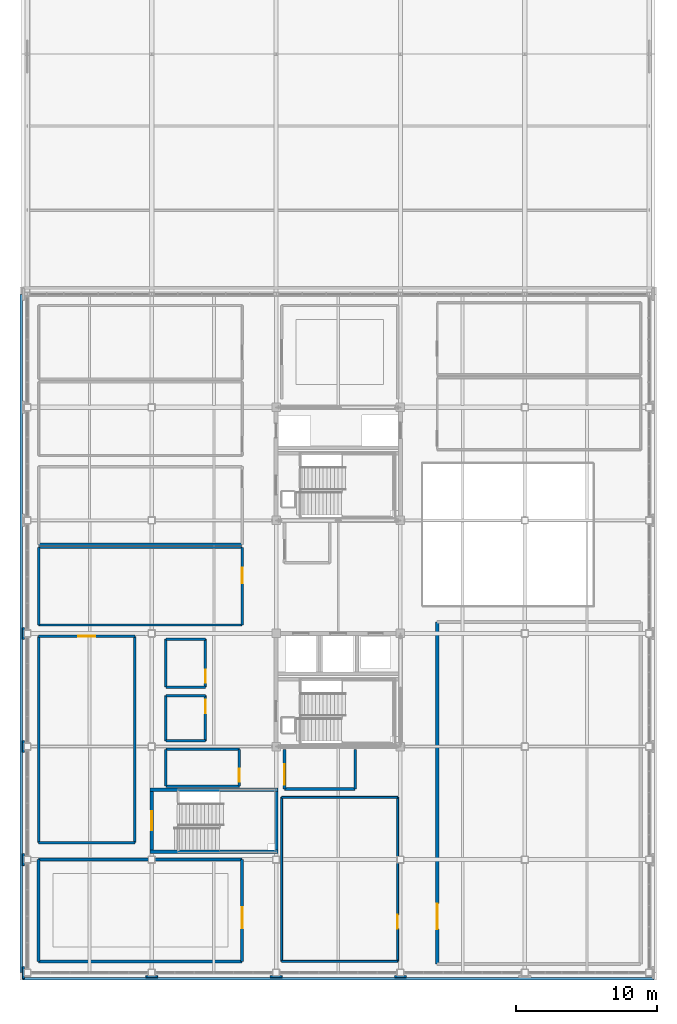
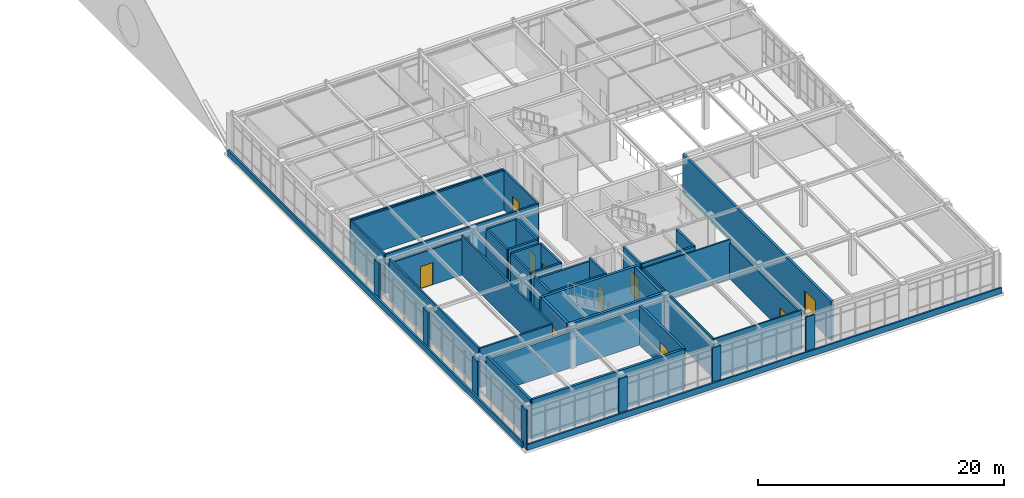
# One storey, part 40 of 45: 46 walls, 10 doors, 10 openings.
"""IFC4 building model written with IfcOpenShell, lengths in metres."""

from ifc_helpers import new_model, si_unit, direction, frame, frame_2d, origin, place, context, subcontext, project, spatial, rectangle, extrude, material, layer, layer_set, type_object, element, fill, save


model = new_model("IFC4")

# Units and contexts
model_context = context("Model", 3, precision=1e-05, world=origin(), true_north=direction((0.0, 1.0)))
body_context = subcontext(model_context, "Body", "Model", "MODEL_VIEW")
ifc_project = project(units=[si_unit("LENGTHUNIT", "METRE"), si_unit("AREAUNIT", "SQUARE_METRE"), si_unit("VOLUMEUNIT", "CUBIC_METRE"), si_unit("PLANEANGLEUNIT", "RADIAN"), si_unit("MASSUNIT", "GRAM", prefix="KILO")], contexts=[model_context])

# Site, building, storey
site_placement = place(None, origin())
site = spatial("IfcSite", under=ifc_project, at=site_placement, CompositionType="ELEMENT")
building_placement = place(site_placement, origin())
building = spatial("IfcBuilding", under=site, at=building_placement, Name="Zhaolan Boulevard Law Courts", CompositionType="ELEMENT")
storey_placement = place(building_placement, frame((0.0, 0.0, 24.60009765625)))
storey = spatial("IfcBuildingStorey", under=building, at=storey_placement, Name="L05", CompositionType="ELEMENT", Elevation=24.60009765625)

# Walls
ifc_material_1 = material(Name="Concrete C40", Category="concrete")
ifc_layer_1 = layer(ifc_material_1, 0.139892578125)
ifc_layer_set_1 = layer_set([ifc_layer_1])
wall_type_1 = type_object("IfcWallType", Name="EXT WALL ARCH CLAD140", PredefinedType="SOLIDWALL", material=ifc_layer_set_1)
for number, where, z_axis, x_axis, name in (
    (1, (-0.280029296875, 29.580078125, 0.0), (0.0, 0.0, 1.0), (0.0, 1.0, 0.0), "Concrete Column Cloak Pier CPR-121"),
    (2, (-0.280029296875, 37.580078125, 0.0), (0.0, 0.0, 1.0), (0.0, 1.0, 0.0), "Concrete Column Cloak Pier CPR-123"),
    (3, (-0.280029296875, 45.580078125, 0.0), (0.0, 0.0, 1.0), (0.0, 1.0, 0.0), "Concrete Column Cloak Pier CPR-125"),
    (4, (-0.280029296875, 53.580078125, 0.0), (0.0, 0.0, 1.0), (0.0, 1.0, 0.0), "Concrete Column Cloak Pier CPR-127"),
):
    element("IfcWall", number, at=place(storey_placement, frame(where, z_axis=z_axis, x_axis=x_axis)), inside=storey, type_object=wall_type_1, Name=name, PredefinedType="SOLIDWALL", context=body_context, shape_type="SweptSolid", body=[
        extrude(rectangle(XDim=0.83984375, YDim=0.139892578125, at=frame_2d((0.419921875, 0.0))), origin(), (0.0, 0.0, 1.0), 3.93994140625),
    ])
for number, where, z_axis, x_axis, name in (
    (5, (8.3798828125, 29.719970703125, 0.0), (0.0, 0.0, 1.0), (1.0, 0.0, 0.0), "Concrete Column Cloak Pier CPR-135"),
    (6, (17.179931640625, 29.719970703125, 0.0), (0.0, 0.0, 1.0), (1.0, 0.0, 0.0), "Concrete Column Cloak Pier CPR-136"),
    (7, (25.97998046875, 29.719970703125, 0.0), (0.0, 0.0, 1.0), (1.0, 0.0, 0.0), "Concrete Column Cloak Pier CPR-137"),
):
    element("IfcWall", number, at=place(storey_placement, frame(where, z_axis=z_axis, x_axis=x_axis)), inside=storey, type_object=wall_type_1, Name=name, PredefinedType="SOLIDWALL", context=body_context, shape_type="SweptSolid", body=[
        extrude(rectangle(XDim=0.840087890625, YDim=0.139892578125, at=frame_2d((0.419921875, 0.0))), origin(), (0.0, 0.0, 1.0), 3.93994140625),
    ])
ifc_material_2 = material(Name="Concrete C40", Category="concrete")
ifc_layer_2 = layer(ifc_material_2, 0.159912109375)
ifc_layer_set_2 = layer_set([ifc_layer_2])
wall_type_2 = type_object("IfcWallType", Name="EXT WALL ARCH CLAD160", PredefinedType="SOLIDWALL", material=ifc_layer_set_2)
wall_1_placement = place(storey_placement, frame((-0.43994140625, 78.0, 0.0), z_axis=(0.0, 0.0, 1.0), x_axis=(0.0, -1.0, 0.0)))
element("IfcWall", 8, at=wall_1_placement, inside=storey, type_object=wall_type_2, Name="Sculpted Concrete Spandrel Band CBW-117", PredefinedType="SOLIDWALL", context=body_context, shape_type="SweptSolid", body=[
    extrude(rectangle(XDim=48.0, YDim=0.159912109375, at=frame_2d((24.0, 0.0))), origin(), (0.0, 0.0, 1.0), 0.579833984375),
])
wall_2_placement = place(storey_placement, frame((-0.340087890625, 29.56005859375, 0.0), z_axis=(0.0, 0.0, 1.0), x_axis=(1.0, 0.0, 0.0)))
element("IfcWall", 9, at=wall_2_placement, inside=storey, type_object=wall_type_2, Name="Sculpted Concrete Spandrel Band CBW-119", PredefinedType="SOLIDWALL", context=body_context, shape_type="SweptSolid", body=[
    extrude(rectangle(XDim=44.68017578125, YDim=0.159912109375, at=frame_2d((22.340087890625, 0.0))), origin(), (0.0, 0.0, 1.0), 0.579833984375),
])
ifc_material_3 = material(Name="Acoustic gypsum and mineral-wool stud")
ifc_layer_3 = layer(ifc_material_3, 0.18994140625)
ifc_layer_set_3 = layer_set([ifc_layer_3])
wall_type_3 = type_object("IfcWallType", Name="PART WALL ACOUST190", PredefinedType="PARTITIONING", material=ifc_layer_set_3)
wall_3_placement = place(storey_placement, frame((18.199951171875, 43.0, 0.0), z_axis=(0.0, 0.0, 1.0), x_axis=(1.0, 0.0, 0.0)))
element("IfcWall", 10, at=wall_3_placement, inside=storey, type_object=wall_type_3, Name="Interior Partition PW-L05-037", PredefinedType="PARTITIONING", context=body_context, shape_type="SweptSolid", body=[
    extrude(rectangle(XDim=5.0, YDim=0.18994140625, at=frame_2d((2.5, 0.0))), origin(), (0.0, 0.0, 1.0), 3.919921875),
])

# Wall, opening, door
wall_4_placement = place(storey_placement, frame((18.199951171875, 45.800048828125, 0.0), z_axis=(0.0, 0.0, 1.0), x_axis=(0.0, -1.0, 0.0)))
wall_4 = element("IfcWall", 11, at=wall_4_placement, inside=storey, type_object=wall_type_3, Name="Interior Partition PW-L05-038", PredefinedType="PARTITIONING", context=body_context, shape_type="SweptSolid", body=[
    extrude(rectangle(XDim=2.800048828125, YDim=0.18994140625, at=frame_2d((1.39990234375, 0.0))), origin(), (0.0, 0.0, 1.0), 3.919921875),
])
opening_1_placement = place(wall_4_placement, frame((1.050048828125, 0.0, 0.0)))
opening_1 = element("IfcOpeningElement", 12, at=opening_1_placement, cuts=wall_4, Name="Opening FD-L05-013", PredefinedType="OPENING", context=body_context, shape_type="SweptSolid", body=[
    extrude(rectangle(XDim=1.449951171875, YDim=2.199951171875, at=frame_2d((0.72509765625, 1.10009765625))), frame((0.0, 0.10498046875, 0.0), z_axis=(0.0, -1.0, 0.0), x_axis=(1.0, 0.0, 0.0)), (0.0, 0.0, 1.0), 0.2099609375),
])
ifc_material_4 = material(Name="Fire-rated steel acoustic door", Category="steel")
door_type_1 = type_object("IfcDoorType", Name="LOBBY FIRE 1450X2200 L", OperationType="SINGLE_SWING_LEFT", PredefinedType="DOOR", material=ifc_material_4)
door_1_placement = place(opening_1_placement, origin())
door_1 = element("IfcDoor", 13, at=door_1_placement, inside=storey, type_object=door_type_1, Name="Door FD-L05-013 (Lobby Firefighting Lift L05-W1)", OperationType="SINGLE_SWING_LEFT", OverallHeight=2.199951171875, OverallWidth=1.449951171875, PredefinedType="DOOR", context=body_context, shape_type="SweptSolid", body=[
    extrude(rectangle(XDim=1.449951171875, YDim=2.199951171875, at=frame_2d((0.72509765625, 1.10009765625))), frame((0.0, 0.02490234375, 0.0), z_axis=(0.0, -1.0, 0.0), x_axis=(1.0, 0.0, 0.0)), (0.0, 0.0, 1.0), 0.050048828125),
])
fill(opening_1, door_1)

# Walls
wall_5_placement = place(storey_placement, frame((23.199951171875, 43.0, 0.0), z_axis=(0.0, 0.0, 1.0), x_axis=(0.0, 1.0, 0.0)))
element("IfcWall", 14, at=wall_5_placement, inside=storey, type_object=wall_type_3, Name="Interior Partition PW-L05-039", PredefinedType="PARTITIONING", context=body_context, shape_type="SweptSolid", body=[
    extrude(rectangle(XDim=2.800048828125, YDim=0.18994140625, at=frame_2d((1.39990234375, 0.0))), origin(), (0.0, 0.0, 1.0), 3.919921875),
])
ifc_material_5 = material(Name="Fire-rated gypsum stud partition")
ifc_layer_4 = layer(ifc_material_5, 0.159912109375)
ifc_layer_set_4 = layer_set([ifc_layer_4])
wall_type_4 = type_object("IfcWallType", Name="PART WALL CHAMB160", PredefinedType="PARTITIONING", material=ifc_layer_set_4)
for number, where, z_axis, x_axis, name in (
    (15, (0.800048828125, 54.60009765625, 0.0), (0.0, 0.0, 1.0), (1.0, 0.0, 0.0), "Interior Partition PW-L05-638"),
    (16, (15.199951171875, 60.090087890625, 0.0), (0.0, 0.0, 1.0), (-1.0, 0.0, 0.0), "Interior Partition PW-L05-639"),
):
    element("IfcWall", number, at=place(storey_placement, frame(where, z_axis=z_axis, x_axis=x_axis)), inside=storey, type_object=wall_type_4, Name=name, PredefinedType="PARTITIONING", context=body_context, shape_type="SweptSolid", body=[
        extrude(rectangle(XDim=14.39990234375, YDim=0.159912109375, at=frame_2d((7.199951171875, 0.0))), origin(), (0.0, 0.0, 1.0), 3.919921875),
    ])
wall_6_placement = place(storey_placement, frame((0.800048828125, 60.090087890625, 0.0), z_axis=(0.0, 0.0, 1.0), x_axis=(0.0, -1.0, 0.0)))
element("IfcWall", 17, at=wall_6_placement, inside=storey, type_object=wall_type_4, Name="Interior Partition PW-L05-640", PredefinedType="PARTITIONING", context=body_context, shape_type="SweptSolid", body=[
    extrude(rectangle(XDim=5.489990234375, YDim=0.159912109375, at=frame_2d((2.7451171875, 0.0))), origin(), (0.0, 0.0, 1.0), 3.919921875),
])

# Wall, opening, door
wall_7_placement = place(storey_placement, frame((15.199951171875, 54.60009765625, 0.0), z_axis=(0.0, 0.0, 1.0), x_axis=(0.0, 1.0, 0.0)))
wall_7 = element("IfcWall", 18, at=wall_7_placement, inside=storey, type_object=wall_type_4, Name="Interior Partition PW-L05-641", PredefinedType="PARTITIONING", context=body_context, shape_type="SweptSolid", body=[
    extrude(rectangle(XDim=5.489990234375, YDim=0.159912109375, at=frame_2d((2.7451171875, 0.0))), origin(), (0.0, 0.0, 1.0), 3.919921875),
])
opening_2_placement = place(wall_7_placement, frame((2.93896484375, 0.0, 0.0)))
opening_2 = element("IfcOpeningElement", 19, at=opening_2_placement, cuts=wall_7, Name="Opening JR-L05-196", PredefinedType="OPENING", context=body_context, shape_type="SweptSolid", body=[
    extrude(rectangle(XDim=1.1201171875, YDim=2.199951171875, at=frame_2d((0.56005859375, 1.10009765625))), frame((0.0, 0.08984375, 0.0), z_axis=(0.0, -1.0, 0.0), x_axis=(1.0, 0.0, 0.0)), (0.0, 0.0, 1.0), 0.179931640625),
])
ifc_material_6 = material(Name="Solid-core acoustic oak veneer door")
door_type_2 = type_object("IfcDoorType", Name="JURY DOOR 1120X2200 R", OperationType="SINGLE_SWING_RIGHT", PredefinedType="DOOR", material=ifc_material_6)
door_2_placement = place(opening_2_placement, origin())
door_2 = element("IfcDoor", 20, at=door_2_placement, inside=storey, type_object=door_type_2, Name="Door JR-L05-196 (Jury Room L05-01)", OperationType="SINGLE_SWING_RIGHT", OverallHeight=2.199951171875, OverallWidth=1.1201171875, PredefinedType="DOOR", context=body_context, shape_type="SweptSolid", body=[
    extrude(rectangle(XDim=1.1201171875, YDim=2.199951171875, at=frame_2d((0.56005859375, 1.10009765625))), frame((0.0, 0.02490234375, 0.0), z_axis=(0.0, -1.0, 0.0), x_axis=(1.0, 0.0, 0.0)), (0.0, 0.0, 1.0), 0.050048828125),
])
fill(opening_2, door_2)

# Walls
wall_8_placement = place(storey_placement, frame((0.800048828125, 60.31005859375, 0.0), z_axis=(0.0, 0.0, 1.0), x_axis=(1.0, 0.0, 0.0)))
element("IfcWall", 21, at=wall_8_placement, inside=storey, type_object=wall_type_4, Name="Interior Partition PW-L05-642", PredefinedType="PARTITIONING", context=body_context, shape_type="SweptSolid", body=[
    extrude(rectangle(XDim=14.39990234375, YDim=0.159912109375, at=frame_2d((7.199951171875, 0.0))), origin(), (0.0, 0.0, 1.0), 3.919921875),
])
wall_9_placement = place(storey_placement, frame((0.800048828125, 39.199951171875, 0.0), z_axis=(0.0, 0.0, 1.0), x_axis=(1.0, 0.0, 0.0)))
element("IfcWall", 22, at=wall_9_placement, inside=storey, type_object=wall_type_4, Name="Interior Partition PW-L05-662", PredefinedType="PARTITIONING", context=body_context, shape_type="SweptSolid", body=[
    extrude(rectangle(XDim=6.800048828125, YDim=0.159912109375, at=frame_2d((3.39990234375, 0.0))), origin(), (0.0, 0.0, 1.0), 3.919921875),
])

# Wall, opening, door
wall_10_placement = place(storey_placement, frame((7.60009765625, 53.800048828125, 0.0), z_axis=(0.0, 0.0, 1.0), x_axis=(-1.0, 0.0, 0.0)))
wall_10 = element("IfcWall", 23, at=wall_10_placement, inside=storey, type_object=wall_type_4, Name="Interior Partition PW-L05-663", PredefinedType="PARTITIONING", context=body_context, shape_type="SweptSolid", body=[
    extrude(rectangle(XDim=6.800048828125, YDim=0.159912109375, at=frame_2d((3.39990234375, 0.0))), origin(), (0.0, 0.0, 1.0), 3.5458984375),
])
opening_3_placement = place(wall_10_placement, frame((2.81005859375, 0.0, 0.0)))
opening_3 = element("IfcOpeningElement", 24, at=opening_3_placement, cuts=wall_10, Name="Opening MD-L05-202", PredefinedType="OPENING", context=body_context, shape_type="SweptSolid", body=[
    extrude(rectangle(XDim=1.179931640625, YDim=2.199951171875, at=frame_2d((0.58984375, 1.10009765625))), frame((0.0, 0.08984375, 0.0), z_axis=(0.0, -1.0, 0.0), x_axis=(1.0, 0.0, 0.0)), (0.0, 0.0, 1.0), 0.179931640625),
])
ifc_material_7 = material(Name="Solid-core acoustic oak veneer door")
door_type_3 = type_object("IfcDoorType", Name="MED DOOR 1180X2200 R", OperationType="SINGLE_SWING_RIGHT", PredefinedType="DOOR", material=ifc_material_7)
door_3_placement = place(opening_3_placement, origin())
door_3 = element("IfcDoor", 25, at=door_3_placement, inside=storey, type_object=door_type_3, Name="Door MD-L05-202 (Appellate Case Conference Room)", OperationType="SINGLE_SWING_RIGHT", OverallHeight=2.199951171875, OverallWidth=1.179931640625, PredefinedType="DOOR", context=body_context, shape_type="SweptSolid", body=[
    extrude(rectangle(XDim=1.179931640625, YDim=2.199951171875, at=frame_2d((0.58984375, 1.10009765625))), frame((0.0, 0.02490234375, 0.0), z_axis=(0.0, -1.0, 0.0), x_axis=(1.0, 0.0, 0.0)), (0.0, 0.0, 1.0), 0.050048828125),
])
fill(opening_3, door_3)

# Walls
for number, where, z_axis, x_axis, name in (
    (26, (0.800048828125, 53.800048828125, 0.0), (0.0, 0.0, 1.0), (0.0, -1.0, 0.0), "Interior Partition PW-L05-664"),
    (27, (7.60009765625, 39.199951171875, 0.0), (0.0, 0.0, 1.0), (0.0, 1.0, 0.0), "Interior Partition PW-L05-665"),
):
    element("IfcWall", number, at=place(storey_placement, frame(where, z_axis=z_axis, x_axis=x_axis)), inside=storey, type_object=wall_type_4, Name=name, PredefinedType="PARTITIONING", context=body_context, shape_type="SweptSolid", body=[
        extrude(rectangle(XDim=14.60009765625, YDim=0.159912109375, at=frame_2d((7.300048828125, 0.0))), origin(), (0.0, 0.0, 1.0), 3.919921875),
    ])
ifc_material_8 = material(Name="Concrete C40", Category="concrete")
ifc_layer_5 = layer(ifc_material_8, 0.219970703125)
ifc_layer_set_5 = layer_set([ifc_layer_5])
wall_type_5 = type_object("IfcWallType", Name="PART WALL COURT220", PredefinedType="PARTITIONING", material=ifc_layer_set_5)
wall_11_placement = place(storey_placement, frame((0.800048828125, 30.800048828125, 0.0), z_axis=(0.0, 0.0, 1.0), x_axis=(1.0, 0.0, 0.0)))
element("IfcWall", 28, at=wall_11_placement, inside=storey, type_object=wall_type_5, Name="Interior Partition PW-L05-630", PredefinedType="PARTITIONING", context=body_context, shape_type="SweptSolid", body=[
    extrude(rectangle(XDim=14.39990234375, YDim=0.219970703125, at=frame_2d((7.199951171875, 0.0))), origin(), (0.0, 0.0, 1.0), 3.919921875),
])
wall_12_placement = place(storey_placement, frame((15.199951171875, 38.0, 0.0), z_axis=(0.0, 0.0, 1.0), x_axis=(-1.0, 0.0, 0.0)))
element("IfcWall", 29, at=wall_12_placement, inside=storey, type_object=wall_type_5, Name="Interior Partition PW-L05-631", PredefinedType="PARTITIONING", context=body_context, shape_type="SweptSolid", body=[
    extrude(rectangle(XDim=14.39990234375, YDim=0.219970703125, at=frame_2d((7.199951171875, 0.0))), origin(), (0.0, 0.0, 1.0), 3.5458984375),
])
wall_13_placement = place(storey_placement, frame((0.800048828125, 38.0, 0.0), z_axis=(0.0, 0.0, 1.0), x_axis=(0.0, -1.0, 0.0)))
element("IfcWall", 30, at=wall_13_placement, inside=storey, type_object=wall_type_5, Name="Interior Partition PW-L05-632", PredefinedType="PARTITIONING", context=body_context, shape_type="SweptSolid", body=[
    extrude(rectangle(XDim=7.199951171875, YDim=0.219970703125, at=frame_2d((3.60009765625, 0.0))), origin(), (0.0, 0.0, 1.0), 3.919921875),
])

# Wall, opening, door
wall_14_placement = place(storey_placement, frame((15.199951171875, 30.800048828125, 0.0), z_axis=(0.0, 0.0, 1.0), x_axis=(0.0, 1.0, 0.0)))
wall_14 = element("IfcWall", 31, at=wall_14_placement, inside=storey, type_object=wall_type_5, Name="Interior Partition PW-L05-633", PredefinedType="PARTITIONING", context=body_context, shape_type="SweptSolid", body=[
    extrude(rectangle(XDim=7.199951171875, YDim=0.219970703125, at=frame_2d((3.60009765625, 0.0))), origin(), (0.0, 0.0, 1.0), 3.919921875),
])
opening_4_placement = place(wall_14_placement, frame((2.340087890625, 0.0, 0.0)))
opening_4 = element("IfcOpeningElement", 32, at=opening_4_placement, cuts=wall_14, Name="Opening ID-L05-194", PredefinedType="OPENING", context=body_context, shape_type="SweptSolid", body=[
    extrude(rectangle(XDim=1.5, YDim=2.300048828125, at=frame_2d((0.75, 1.14990234375))), frame((0.0, 0.119873046875, 0.0), z_axis=(0.0, -1.0, 0.0), x_axis=(1.0, 0.0, 0.0)), (0.0, 0.0, 1.0), 0.239990234375),
])
ifc_material_9 = material(Name="Solid-core acoustic oak veneer door")
door_type_4 = type_object("IfcDoorType", Name="COURT DOUBLE 1500X2300", OperationType="DOUBLE_DOOR_SINGLE_SWING", PredefinedType="DOOR", material=ifc_material_9)
door_4_placement = place(opening_4_placement, origin())
door_4 = element("IfcDoor", 33, at=door_4_placement, inside=storey, type_object=door_type_4, Name="Door ID-L05-194 (Appellate Criminal Courtroom 19)", OperationType="DOUBLE_DOOR_SINGLE_SWING", OverallHeight=2.300048828125, OverallWidth=1.5, PredefinedType="DOOR", context=body_context, shape_type="SweptSolid", body=[
    extrude(rectangle(XDim=1.5, YDim=2.300048828125, at=frame_2d((0.75, 1.14990234375))), frame((0.0, 0.02490234375, 0.0), z_axis=(0.0, -1.0, 0.0), x_axis=(1.0, 0.0, 0.0)), (0.0, 0.0, 1.0), 0.050048828125),
])
fill(opening_4, door_4)

wall_15_placement = place(storey_placement, frame((29.0, 54.800048828125, 0.0), z_axis=(0.0, 0.0, 1.0), x_axis=(0.0, -1.0, 0.0)))
wall_15 = element("IfcWall", 34, at=wall_15_placement, inside=storey, type_object=wall_type_5, Name="Interior Partition PW-L05-636", PredefinedType="PARTITIONING", context=body_context, shape_type="SweptSolid", body=[
    extrude(rectangle(XDim=24.199951171875, YDim=0.219970703125, at=frame_2d((12.10009765625, 0.0))), origin(), (0.0, 0.0, 1.0), 3.919921875),
])
opening_5_placement = place(wall_15_placement, frame((19.919921875, 0.0, 0.0)))
opening_5 = element("IfcOpeningElement", 35, at=opening_5_placement, cuts=wall_15, Name="Opening ID-L05-195", PredefinedType="OPENING", context=body_context, shape_type="SweptSolid", body=[
    extrude(rectangle(XDim=1.800048828125, YDim=2.39990234375, at=frame_2d((0.89990234375, 1.199951171875))), frame((0.0, 0.119873046875, 0.0), z_axis=(0.0, -1.0, 0.0), x_axis=(1.0, 0.0, 0.0)), (0.0, 0.0, 1.0), 0.239990234375),
])
ifc_material_10 = material(Name="Solid-core acoustic oak veneer door")
door_type_5 = type_object("IfcDoorType", Name="COURT DOUBLE 1800X2400", OperationType="DOUBLE_DOOR_SINGLE_SWING", PredefinedType="DOOR", material=ifc_material_10)
door_5_placement = place(opening_5_placement, origin())
door_5 = element("IfcDoor", 36, at=door_5_placement, inside=storey, type_object=door_type_5, Name="Door ID-L05-195 (International Commercial Courtroom 20)", OperationType="DOUBLE_DOOR_SINGLE_SWING", OverallHeight=2.39990234375, OverallWidth=1.800048828125, PredefinedType="DOOR", context=body_context, shape_type="SweptSolid", body=[
    extrude(rectangle(XDim=1.800048828125, YDim=2.39990234375, at=frame_2d((0.89990234375, 1.199951171875))), frame((0.0, 0.02490234375, 0.0), z_axis=(0.0, -1.0, 0.0), x_axis=(1.0, 0.0, 0.0)), (0.0, 0.0, 1.0), 0.050048828125),
])
fill(opening_5, door_5)

# Walls
ifc_material_11 = material(Name="Fire-rated gypsum stud partition")
ifc_layer_6 = layer(ifc_material_11, 0.139892578125)
ifc_layer_set_6 = layer_set([ifc_layer_6])
wall_type_6 = type_object("IfcWallType", Name="PART WALL OFFICE140", PredefinedType="PARTITIONING", material=ifc_layer_set_6)
for number, where, z_axis, x_axis, name in (
    (37, (18.0, 30.800048828125, 0.0), (0.0, 0.0, 1.0), (1.0, 0.0, 0.0), "Interior Partition PW-L05-793"),
    (38, (26.199951171875, 42.39990234375, 0.0), (0.0, 0.0, 1.0), (-1.0, 0.0, 0.0), "Interior Partition PW-L05-794"),
):
    element("IfcWall", number, at=place(storey_placement, frame(where, z_axis=z_axis, x_axis=x_axis)), inside=storey, type_object=wall_type_6, Name=name, PredefinedType="PARTITIONING", context=body_context, shape_type="SweptSolid", body=[
        extrude(rectangle(XDim=8.199951171875, YDim=0.139892578125, at=frame_2d((4.10009765625, 0.0))), origin(), (0.0, 0.0, 1.0), 3.919921875),
    ])
wall_16_placement = place(storey_placement, frame((18.0, 42.39990234375, 0.0), z_axis=(0.0, 0.0, 1.0), x_axis=(0.0, -1.0, 0.0)))
element("IfcWall", 39, at=wall_16_placement, inside=storey, type_object=wall_type_6, Name="Interior Partition PW-L05-795", PredefinedType="PARTITIONING", context=body_context, shape_type="SweptSolid", body=[
    extrude(rectangle(XDim=11.599853515625, YDim=0.139892578125, at=frame_2d((5.7998046875, 0.0))), origin(), (0.0, 0.0, 1.0), 3.919921875),
])

# Wall, opening, door
wall_17_placement = place(storey_placement, frame((26.199951171875, 30.800048828125, 0.0), z_axis=(0.0, 0.0, 1.0), x_axis=(0.0, 1.0, 0.0)))
wall_17 = element("IfcWall", 40, at=wall_17_placement, inside=storey, type_object=wall_type_6, Name="Interior Partition PW-L05-796", PredefinedType="PARTITIONING", context=body_context, shape_type="SweptSolid", body=[
    extrude(rectangle(XDim=11.599853515625, YDim=0.139892578125, at=frame_2d((5.7998046875, 0.0))), origin(), (0.0, 0.0, 1.0), 3.595947265625),
])
opening_6_placement = place(wall_17_placement, frame((2.300048828125, 0.0, 0.0)))
opening_6 = element("IfcOpeningElement", 41, at=opening_6_placement, cuts=wall_17, Name="Opening JD-L05-250", PredefinedType="OPENING", context=body_context, shape_type="SweptSolid", body=[
    extrude(rectangle(XDim=1.0, YDim=2.14990234375, at=frame_2d((0.5, 1.074951171875))), frame((0.0, 0.079833984375, 0.0), z_axis=(0.0, -1.0, 0.0), x_axis=(1.0, 0.0, 0.0)), (0.0, 0.0, 1.0), 0.159912109375),
])
ifc_material_12 = material(Name="Solid-core acoustic oak veneer door")
door_type_6 = type_object("IfcDoorType", Name="CHAMBER DOOR 1000X2150 L", OperationType="SINGLE_SWING_LEFT", PredefinedType="DOOR", material=ifc_material_12)
door_6_placement = place(opening_6_placement, origin())
door_6 = element("IfcDoor", 42, at=door_6_placement, inside=storey, type_object=door_type_6, Name="Door JD-L05-250 (Appellate Clerkship Suite L05)", OperationType="SINGLE_SWING_LEFT", OverallHeight=2.14990234375, OverallWidth=1.0, PredefinedType="DOOR", context=body_context, shape_type="SweptSolid", body=[
    extrude(rectangle(XDim=1.0, YDim=2.14990234375, at=frame_2d((0.5, 1.074951171875))), frame((0.0, 0.02490234375, 0.0), z_axis=(0.0, -1.0, 0.0), x_axis=(1.0, 0.0, 0.0)), (0.0, 0.0, 1.0), 0.050048828125),
])
fill(opening_6, door_6)

# Walls
ifc_material_13 = material(Name="Moisture-resistant masonry chase wall", Category="masonry")
ifc_layer_7 = layer(ifc_material_13, 0.179931640625)
ifc_layer_set_7 = layer_set([ifc_layer_7])
wall_type_7 = type_object("IfcWallType", Name="PLUMB WALL 180", PredefinedType="PLUMBINGWALL", material=ifc_layer_set_7)
for number, where, z_axis, x_axis, name in (
    (43, (9.800048828125, 46.39990234375, 0.0), (0.0, 0.0, 1.0), (1.0, 0.0, 0.0), "Interior Partition PW-L05-151"),
    (44, (12.60009765625, 49.60009765625, 0.0), (0.0, 0.0, 1.0), (-1.0, 0.0, 0.0), "Interior Partition PW-L05-152"),
):
    element("IfcWall", number, at=place(storey_placement, frame(where, z_axis=z_axis, x_axis=x_axis)), inside=storey, type_object=wall_type_7, Name=name, PredefinedType="PLUMBINGWALL", context=body_context, shape_type="SweptSolid", body=[
        extrude(rectangle(XDim=2.800048828125, YDim=0.179931640625, at=frame_2d((1.39990234375, 0.0))), origin(), (0.0, 0.0, 1.0), 3.919921875),
    ])
wall_18_placement = place(storey_placement, frame((9.800048828125, 49.60009765625, 0.0), z_axis=(0.0, 0.0, 1.0), x_axis=(0.0, -1.0, 0.0)))
element("IfcWall", 45, at=wall_18_placement, inside=storey, type_object=wall_type_7, Name="Interior Partition PW-L05-153", PredefinedType="PLUMBINGWALL", context=body_context, shape_type="SweptSolid", body=[
    extrude(rectangle(XDim=3.2001953125, YDim=0.179931640625, at=frame_2d((1.60009765625, 0.0))), origin(), (0.0, 0.0, 1.0), 3.919921875),
])

# Wall, opening, door
wall_19_placement = place(storey_placement, frame((12.60009765625, 46.39990234375, 0.0), z_axis=(0.0, 0.0, 1.0), x_axis=(0.0, 1.0, 0.0)))
wall_19 = element("IfcWall", 46, at=wall_19_placement, inside=storey, type_object=wall_type_7, Name="Interior Partition PW-L05-154", PredefinedType="PLUMBINGWALL", context=body_context, shape_type="SweptSolid", body=[
    extrude(rectangle(XDim=3.2001953125, YDim=0.179931640625, at=frame_2d((1.60009765625, 0.0))), origin(), (0.0, 0.0, 1.0), 3.919921875),
])
opening_7_placement = place(wall_19_placement, frame((1.93994140625, 0.0, 0.0)))
opening_7 = element("IfcOpeningElement", 47, at=opening_7_placement, cuts=wall_19, Name="Opening WD-L05-046", PredefinedType="OPENING", context=body_context, shape_type="SweptSolid", body=[
    extrude(rectangle(XDim=0.9599609375, YDim=2.10009765625, at=frame_2d((0.47998046875, 1.050048828125))), frame((0.0, 0.099853515625, 0.0), z_axis=(0.0, -1.0, 0.0), x_axis=(1.0, 0.0, 0.0)), (0.0, 0.0, 1.0), 0.199951171875),
])
ifc_material_14 = material(Name="Solid-core acoustic oak veneer door")
door_type_7 = type_object("IfcDoorType", Name="WCDOOR ACC 960X2100 L", OperationType="SINGLE_SWING_LEFT", PredefinedType="DOOR", material=ifc_material_14)
door_7_placement = place(opening_7_placement, origin())
door_7 = element("IfcDoor", 48, at=door_7_placement, inside=storey, type_object=door_type_7, Name="Door WD-L05-046 (Accessible WC L05)", OperationType="SINGLE_SWING_LEFT", OverallHeight=2.10009765625, OverallWidth=0.9599609375, PredefinedType="DOOR", context=body_context, shape_type="SweptSolid", body=[
    extrude(rectangle(XDim=0.9599609375, YDim=2.10009765625, at=frame_2d((0.47998046875, 1.050048828125))), frame((0.0, 0.02490234375, 0.0), z_axis=(0.0, -1.0, 0.0), x_axis=(1.0, 0.0, 0.0)), (0.0, 0.0, 1.0), 0.050048828125),
])
fill(opening_7, door_7)

# Walls
for number, where, z_axis, x_axis, name in (
    (49, (9.800048828125, 50.199951171875, 0.0), (0.0, 0.0, 1.0), (1.0, 0.0, 0.0), "Interior Partition PW-L05-155"),
    (50, (12.60009765625, 53.60009765625, 0.0), (0.0, 0.0, 1.0), (-1.0, 0.0, 0.0), "Interior Partition PW-L05-156"),
):
    element("IfcWall", number, at=place(storey_placement, frame(where, z_axis=z_axis, x_axis=x_axis)), inside=storey, type_object=wall_type_7, Name=name, PredefinedType="PLUMBINGWALL", context=body_context, shape_type="SweptSolid", body=[
        extrude(rectangle(XDim=2.800048828125, YDim=0.179931640625, at=frame_2d((1.39990234375, 0.0))), origin(), (0.0, 0.0, 1.0), 3.919921875),
    ])
wall_20_placement = place(storey_placement, frame((9.800048828125, 53.60009765625, 0.0), z_axis=(0.0, 0.0, 1.0), x_axis=(0.0, -1.0, 0.0)))
element("IfcWall", 51, at=wall_20_placement, inside=storey, type_object=wall_type_7, Name="Interior Partition PW-L05-157", PredefinedType="PLUMBINGWALL", context=body_context, shape_type="SweptSolid", body=[
    extrude(rectangle(XDim=3.400146484375, YDim=0.179931640625, at=frame_2d((1.7001953125, 0.0))), origin(), (0.0, 0.0, 1.0), 3.919921875),
])

# Wall, opening, door
wall_21_placement = place(storey_placement, frame((12.60009765625, 50.199951171875, 0.0), z_axis=(0.0, 0.0, 1.0), x_axis=(0.0, 1.0, 0.0)))
wall_21 = element("IfcWall", 52, at=wall_21_placement, inside=storey, type_object=wall_type_7, Name="Interior Partition PW-L05-158", PredefinedType="PLUMBINGWALL", context=body_context, shape_type="SweptSolid", body=[
    extrude(rectangle(XDim=3.400146484375, YDim=0.179931640625, at=frame_2d((1.7001953125, 0.0))), origin(), (0.0, 0.0, 1.0), 3.919921875),
])
opening_8_placement = place(wall_21_placement, frame((0.300048828125, 0.0, 0.0)))
opening_8 = element("IfcOpeningElement", 53, at=opening_8_placement, cuts=wall_21, Name="Opening WD-L05-047", PredefinedType="OPENING", context=body_context, shape_type="SweptSolid", body=[
    extrude(rectangle(XDim=0.919921875, YDim=2.10009765625, at=frame_2d((0.4599609375, 1.050048828125))), frame((0.0, 0.099853515625, 0.0), z_axis=(0.0, -1.0, 0.0), x_axis=(1.0, 0.0, 0.0)), (0.0, 0.0, 1.0), 0.199951171875),
])
ifc_material_15 = material(Name="Solid-core acoustic oak veneer door")
door_type_8 = type_object("IfcDoorType", Name="WCDOOR PUB 920X2100 R", OperationType="SINGLE_SWING_RIGHT", PredefinedType="DOOR", material=ifc_material_15)
door_8_placement = place(opening_8_placement, origin())
door_8 = element("IfcDoor", 54, at=door_8_placement, inside=storey, type_object=door_type_8, Name="Door WD-L05-047 (WC Public Male L05)", OperationType="SINGLE_SWING_RIGHT", OverallHeight=2.10009765625, OverallWidth=0.919921875, PredefinedType="DOOR", context=body_context, shape_type="SweptSolid", body=[
    extrude(rectangle(XDim=0.919921875, YDim=2.10009765625, at=frame_2d((0.4599609375, 1.050048828125))), frame((0.0, 0.02490234375, 0.0), z_axis=(0.0, -1.0, 0.0), x_axis=(1.0, 0.0, 0.0)), (0.0, 0.0, 1.0), 0.050048828125),
])
fill(opening_8, door_8)

# Walls
wall_22_placement = place(storey_placement, frame((9.800048828125, 43.199951171875, 0.0), z_axis=(0.0, 0.0, 1.0), x_axis=(1.0, 0.0, 0.0)))
element("IfcWall", 55, at=wall_22_placement, inside=storey, type_object=wall_type_7, Name="Interior Partition PW-L05-159", PredefinedType="PLUMBINGWALL", context=body_context, shape_type="SweptSolid", body=[
    extrude(rectangle(XDim=5.199951171875, YDim=0.179931640625, at=frame_2d((2.60009765625, 0.0))), origin(), (0.0, 0.0, 1.0), 3.919921875),
])
wall_23_placement = place(storey_placement, frame((15.0, 45.800048828125, 0.0), z_axis=(0.0, 0.0, 1.0), x_axis=(-1.0, 0.0, 0.0)))
element("IfcWall", 56, at=wall_23_placement, inside=storey, type_object=wall_type_7, Name="Interior Partition PW-L05-160", PredefinedType="PLUMBINGWALL", context=body_context, shape_type="SweptSolid", body=[
    extrude(rectangle(XDim=5.199951171875, YDim=0.179931640625, at=frame_2d((2.60009765625, 0.0))), origin(), (0.0, 0.0, 1.0), 3.635986328125),
])
wall_24_placement = place(storey_placement, frame((9.800048828125, 45.800048828125, 0.0), z_axis=(0.0, 0.0, 1.0), x_axis=(0.0, -1.0, 0.0)))
element("IfcWall", 57, at=wall_24_placement, inside=storey, type_object=wall_type_7, Name="Interior Partition PW-L05-161", PredefinedType="PLUMBINGWALL", context=body_context, shape_type="SweptSolid", body=[
    extrude(rectangle(XDim=2.60009765625, YDim=0.179931640625, at=frame_2d((1.300048828125, 0.0))), origin(), (0.0, 0.0, 1.0), 3.919921875),
])

# Wall, opening, door
wall_25_placement = place(storey_placement, frame((15.0, 43.199951171875, 0.0), z_axis=(0.0, 0.0, 1.0), x_axis=(0.0, 1.0, 0.0)))
wall_25 = element("IfcWall", 58, at=wall_25_placement, inside=storey, type_object=wall_type_7, Name="Interior Partition PW-L05-162", PredefinedType="PLUMBINGWALL", context=body_context, shape_type="SweptSolid", body=[
    extrude(rectangle(XDim=2.60009765625, YDim=0.179931640625, at=frame_2d((1.300048828125, 0.0))), origin(), (0.0, 0.0, 1.0), 3.919921875),
])
opening_9_placement = place(wall_25_placement, frame((0.300048828125, 0.0, 0.0)))
opening_9 = element("IfcOpeningElement", 59, at=opening_9_placement, cuts=wall_25, Name="Opening WD-L05-048", PredefinedType="OPENING", context=body_context, shape_type="SweptSolid", body=[
    extrude(rectangle(XDim=0.919921875, YDim=2.10009765625, at=frame_2d((0.4599609375, 1.050048828125))), frame((0.0, 0.099853515625, 0.0), z_axis=(0.0, -1.0, 0.0), x_axis=(1.0, 0.0, 0.0)), (0.0, 0.0, 1.0), 0.199951171875),
])
door_9_placement = place(opening_9_placement, origin())
door_9 = element("IfcDoor", 60, at=door_9_placement, inside=storey, type_object=door_type_8, Name="Door WD-L05-048 (WC Public Female L05)", OperationType="SINGLE_SWING_RIGHT", OverallHeight=2.10009765625, OverallWidth=0.919921875, PredefinedType="DOOR", context=body_context, shape_type="SweptSolid", body=[
    extrude(rectangle(XDim=0.919921875, YDim=2.10009765625, at=frame_2d((0.4599609375, 1.050048828125))), frame((0.0, 0.02490234375, 0.0), z_axis=(0.0, -1.0, 0.0), x_axis=(1.0, 0.0, 0.0)), (0.0, 0.0, 1.0), 0.050048828125),
])
fill(opening_9, door_9)

# Walls
ifc_material_16 = material(Name="Concrete C50", Category="concrete")
ifc_layer_8 = layer(ifc_material_16, 0.239990234375)
ifc_layer_set_8 = layer_set([ifc_layer_8])
wall_type_8 = type_object("IfcWallType", Name="STAIR WELL WALL 240", PredefinedType="SHEAR", material=ifc_layer_set_8)
for number, where, z_axis, x_axis, name in (
    (61, (8.679931640625, 38.550048828125, 0.0), (0.0, 0.0, 1.0), (1.0, 0.0, 0.0), "Stairwell Shear Wall ST03-L05S"),
    (62, (17.719970703125, 42.949951171875, 0.0), (0.0, 0.0, 1.0), (-1.0, 0.0, 0.0), "Stairwell Shear Wall ST03-L05N"),
):
    element("IfcWall", number, at=place(storey_placement, frame(where, z_axis=z_axis, x_axis=x_axis)), inside=storey, type_object=wall_type_8, Name=name, PredefinedType="SHEAR", context=body_context, shape_type="SweptSolid", body=[
        extrude(rectangle(XDim=9.0400390625, YDim=0.239990234375, at=frame_2d((4.52001953125, 0.0))), origin(), (0.0, 0.0, 1.0), 3.949951171875),
    ])

# Wall, opening, door
wall_26_placement = place(storey_placement, frame((8.800048828125, 38.669921875, 0.0), z_axis=(0.0, 0.0, 1.0), x_axis=(0.0, 1.0, 0.0)))
wall_26 = element("IfcWall", 63, at=wall_26_placement, inside=storey, type_object=wall_type_8, Name="Stairwell Shear Wall ST03-L05W", PredefinedType="SHEAR", context=body_context, shape_type="SweptSolid", body=[
    extrude(rectangle(XDim=4.16015625, YDim=0.239990234375, at=frame_2d((2.080078125, 0.0))), origin(), (0.0, 0.0, 1.0), 3.949951171875),
])
opening_10_placement = place(wall_26_placement, frame((1.405029296875, 0.0, 0.0)))
opening_10 = element("IfcOpeningElement", 64, at=opening_10_placement, cuts=wall_26, Name="Opening SD-L05-52", PredefinedType="OPENING", context=body_context, shape_type="SweptSolid", body=[
    extrude(rectangle(XDim=1.35009765625, YDim=2.199951171875, at=frame_2d((0.675048828125, 1.10009765625))), frame((0.0, 0.1298828125, 0.0), z_axis=(0.0, -1.0, 0.0), x_axis=(1.0, 0.0, 0.0)), (0.0, 0.0, 1.0), 0.260009765625),
])
ifc_material_17 = material(Name="Fire-rated steel acoustic door", Category="steel")
door_type_9 = type_object("IfcDoorType", Name="STAIR FIRE 1350X2200 R", OperationType="SINGLE_SWING_RIGHT", PredefinedType="DOOR", material=ifc_material_17)
door_10_placement = place(opening_10_placement, origin())
door_10 = element("IfcDoor", 65, at=door_10_placement, inside=storey, type_object=door_type_9, Name="Smoke-Proof Stairwell Fire Door SD-L05-52", OperationType="SINGLE_SWING_RIGHT", OverallHeight=2.199951171875, OverallWidth=1.35009765625, PredefinedType="DOOR", context=body_context, shape_type="SweptSolid", body=[
    extrude(rectangle(XDim=1.35009765625, YDim=2.199951171875, at=frame_2d((0.675048828125, 1.10009765625))), frame((0.0, 0.02490234375, 0.0), z_axis=(0.0, -1.0, 0.0), x_axis=(1.0, 0.0, 0.0)), (0.0, 0.0, 1.0), 0.050048828125),
])
fill(opening_10, door_10)

# Wall
wall_27_placement = place(storey_placement, frame((17.60009765625, 38.669921875, 0.0), z_axis=(0.0, 0.0, 1.0), x_axis=(0.0, 1.0, 0.0)))
element("IfcWall", 66, at=wall_27_placement, inside=storey, type_object=wall_type_8, Name="Stairwell Shear Wall ST03-L05E", PredefinedType="SHEAR", context=body_context, shape_type="SweptSolid", body=[
    extrude(rectangle(XDim=4.16015625, YDim=0.239990234375, at=frame_2d((2.080078125, 0.0))), origin(), (0.0, 0.0, 1.0), 3.949951171875),
])

save(model, "model.ifc")
